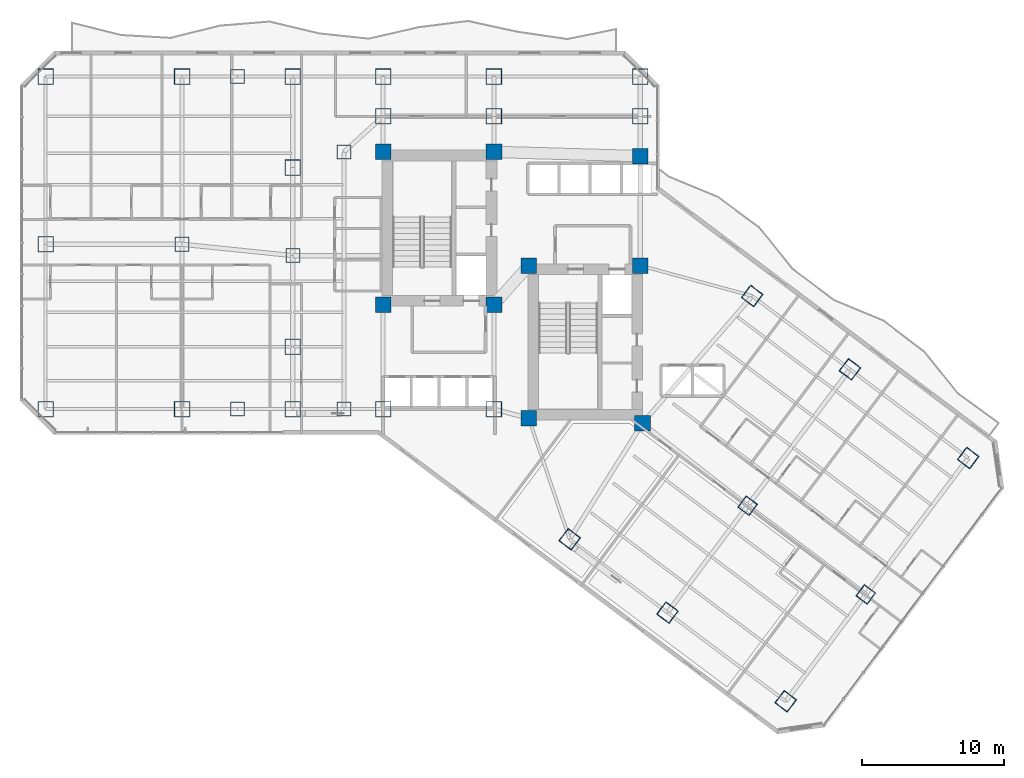
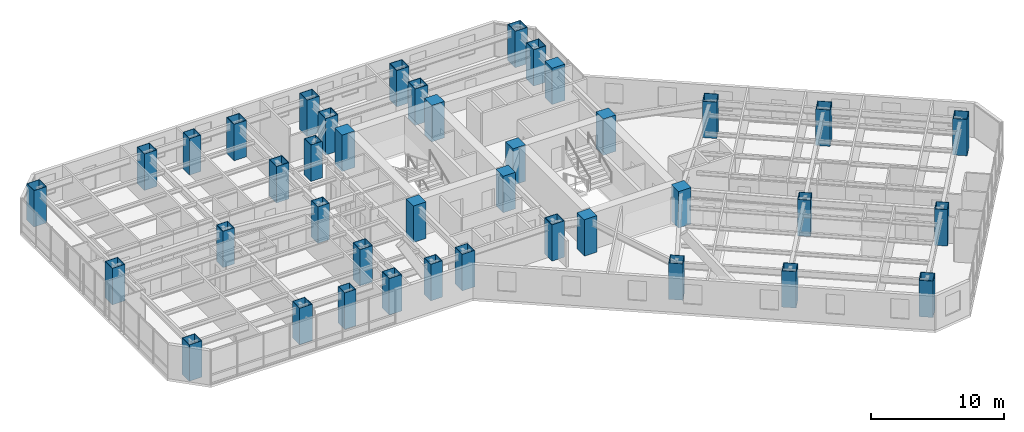
# One storey, part 1 of 32: 40 columns.
"""IFC4 building model written with IfcOpenShell, lengths in metres."""

from ifc_helpers import new_model, si_unit, direction, frame, origin, origin_2d, place, context, subcontext, project, spatial, rectangle, hollow_rectangle, extrude, material, material_profile, profile_set, type_object, element, save


model = new_model("IFC4")

# Units and contexts
model_context = context("Model", 3, precision=1e-05, world=origin(), true_north=direction((0.0, 1.0)))
body_context = subcontext(model_context, "Body", "Model", "MODEL_VIEW")
ifc_project = project(units=[si_unit("LENGTHUNIT", "METRE"), si_unit("AREAUNIT", "SQUARE_METRE"), si_unit("VOLUMEUNIT", "CUBIC_METRE"), si_unit("PLANEANGLEUNIT", "RADIAN"), si_unit("MASSUNIT", "GRAM", prefix="KILO")], contexts=[model_context])

# Site, building, storey
site_placement = place(None, origin())
site = spatial("IfcSite", under=ifc_project, at=site_placement, CompositionType="ELEMENT")
building_placement = place(site_placement, origin())
building = spatial("IfcBuilding", under=site, at=building_placement, Name="Hatsunagi Terrace Concourse", CompositionType="ELEMENT")
storey_placement = place(building_placement, frame((0.0, 0.0, 46.64990234375)))
storey = spatial("IfcBuildingStorey", under=building, at=storey_placement, Name="L11", CompositionType="ELEMENT", Elevation=46.64990234375)

# Columns
ifc_material_1 = material(Name="Concrete Fc60", Category="concrete")
ifc_material_profile_1 = material_profile(ifc_material_1, rectangle(XDim=1.10009765625, YDim=1.10009765625, at=origin_2d()), Name="RC-1100x1100")
ifc_profile_set_1 = profile_set([ifc_material_profile_1], Name="Concrete Fc60")
column_type_1 = type_object("IfcColumnType", Name="CoreColumn_RC_1100x1100", PredefinedType="COLUMN", material=ifc_profile_set_1)
for number, where, z_axis, x_axis, name in (
    (1, (25.550048828125, 32.550048828125, 0.0), (0.0, 0.0, 1.0), (1.0, 0.0, 0.0), "Column C-01 L11-CASW"),
    (2, (33.35009765625, 32.550048828125, 0.0), (0.0, 0.0, 1.0), (1.0, 0.0, 0.0), "Column C-01 L11-CASE"),
    (3, (25.550048828125, 43.300048828125, 0.0), (0.0, 0.0, 1.0), (1.0, 0.0, 0.0), "Column C-01 L11-CANW"),
    (4, (33.35009765625, 43.300048828125, 0.0), (0.0, 0.0, 1.0), (1.0, 0.0, 0.0), "Column C-01 L11-CANE"),
    (5, (35.800048828125, 24.550048828125, 0.0), (0.0, 0.0, 1.0), (1.0, 0.0, 0.0), "Column C-01 L11-CBSW"),
    (6, (43.800048828125, 24.199951171875, 0.0), (0.0, 0.0, 1.0), (1.0, 0.0, 0.0), "Column C-01 L11-CBSE"),
    (7, (35.800048828125, 35.300048828125, 0.0), (0.0, 0.0, 1.0), (1.0, 0.0, 0.0), "Column C-01 L11-CBNW"),
    (8, (43.64990234375, 35.300048828125, 0.0), (0.0, 0.0, 1.0), (1.0, 0.0, 0.0), "Column C-01 L11-CBNE"),
    (9, (43.64990234375, 43.0, 0.0), (0.0, 0.0, 1.0), (1.0, 0.0, 0.0), "Column C-01 L11-K3"),
):
    element("IfcColumn", number, at=place(storey_placement, frame(where, z_axis=z_axis, x_axis=x_axis)), inside=storey, type_object=column_type_1, Name=name, PredefinedType="COLUMN", context=body_context, shape_type="SweptSolid", body=[
        extrude(rectangle(XDim=1.10009765625, YDim=1.10009765625, at=origin_2d()), origin(), (0.0, 0.0, 1.0), 3.35009765625),
    ])
ifc_material_2 = material(Name="Steel BCP325T", Category="steel")
ifc_material_profile_2 = material_profile(ifc_material_2, hollow_rectangle(XDim=1.10009765625, YDim=1.10009765625, WallThickness=0.0400390625, at=origin_2d()), Name="BCP-1100x1100x40")
ifc_profile_set_2 = profile_set([ifc_material_profile_2], Name="Steel BCP325T")
column_type_2 = type_object("IfcColumnType", Name="MegaColumn_BCP_1100x1100x40", PredefinedType="COLUMN", material=ifc_profile_set_2)
for number, where, z_axis, x_axis, name in (
    (10, (25.550048828125, 25.199951171875, 0.0), (0.0, 0.0, 1.0), (1.0, 0.0, 0.0), "Mega column MC-02 L11-K1"),
    (11, (33.35009765625, 25.199951171875, 0.0), (0.0, 0.0, 1.0), (1.0, 0.0, 0.0), "Mega column MC-02 L11-K2"),
    (12, (25.550048828125, 45.800048828125, 0.0), (0.0, 0.0, 1.0), (1.0, 0.0, 0.0), "Mega column MC-02 L11-CN1"),
    (13, (33.35009765625, 45.800048828125, 0.0), (0.0, 0.0, 1.0), (1.0, 0.0, 0.0), "Mega column MC-02 L11-CN2"),
    (14, (43.64990234375, 45.800048828125, 0.0), (0.0, 0.0, 1.0), (1.0, 0.0, 0.0), "Mega column MC-02 L11-CN3"),
    (15, (1.800048828125, 25.199951171875, 0.0), (0.0, 0.0, 1.0), (1.0, 0.0, 0.0), "Mega column MC-02 L11-WS1"),
    (16, (1.800048828125, 48.60009765625, 0.0), (0.0, 0.0, 1.0), (1.0, 0.0, 0.0), "Mega column MC-02 L11-WN1"),
    (17, (1.800048828125, 36.800048828125, 0.0), (0.0, 0.0, 1.0), (1.0, 0.0, 0.0), "Mega column MC-02 L11-WM0"),
    (18, (11.39990234375, 25.199951171875, 0.0), (0.0, 0.0, 1.0), (1.0, 0.0, 0.0), "Mega column MC-02 L11-WS2"),
    (19, (11.39990234375, 48.60009765625, 0.0), (0.0, 0.0, 1.0), (1.0, 0.0, 0.0), "Mega column MC-02 L11-WN2"),
    (20, (19.199951171875, 48.60009765625, 0.0), (0.0, 0.0, 1.0), (1.0, 0.0, 0.0), "Mega column MC-02 L11-WN3"),
    (21, (25.550048828125, 48.60009765625, 0.0), (0.0, 0.0, 1.0), (1.0, 0.0, 0.0), "Mega column MC-02 L11-WN4"),
    (22, (33.35009765625, 48.60009765625, 0.0), (0.0, 0.0, 1.0), (1.0, 0.0, 0.0), "Mega column MC-02 L11-WN5"),
    (23, (43.64990234375, 48.60009765625, 0.0), (0.0, 0.0, 1.0), (1.0, 0.0, 0.0), "Mega column MC-02 L11-WN6"),
    (24, (19.199951171875, 25.199951171875, 0.0), (0.0, 0.0, 1.0), (1.0, 0.0, 0.0), "Mega column MC-02 L11-WS3"),
    (25, (19.199951171875, 29.60009765625, 0.0), (0.0, 0.0, 1.0), (1.0, 0.0, 0.0), "Mega column MC-02 L11-WR1"),
    (26, (19.199951171875, 42.199951171875, 0.0), (0.0, 0.0, 1.0), (1.0, 0.0, 0.0), "Mega column MC-02 L11-WR2"),
    (27, (38.679931640625, 16.0400390625, 0.0), (0.0, 0.0, 1.0), (0.799999996291, -0.600000004945, 0.0), "Mega column MC-02 L11-SES1"),
    (28, (51.52001953125, 33.159912109375, 0.0), (0.0, 0.0, 1.0), (0.799999996291, -0.600000004945, 0.0), "Mega column MC-02 L11-SEN1"),
    (29, (45.56005859375, 10.8798828125, 0.0), (0.0, 0.0, 1.0), (0.799999996291, -0.600000004945, 0.0), "Mega column MC-02 L11-SES2"),
    (30, (58.39990234375, 28.0, 0.0), (0.0, 0.0, 1.0), (0.799999996291, -0.600000004945, 0.0), "Mega column MC-02 L11-SEN2"),
    (31, (53.8798828125, 4.639892578125, 0.0), (0.0, 0.0, 1.0), (0.799999996291, -0.600000004945, 0.0), "Mega column MC-02 L11-SES3"),
    (32, (66.719970703125, 21.760009765625, 0.0), (0.0, 0.0, 1.0), (0.799999996291, -0.600000004945, 0.0), "Mega column MC-02 L11-SEN3"),
):
    element("IfcColumn", number, at=place(storey_placement, frame(where, z_axis=z_axis, x_axis=x_axis)), inside=storey, type_object=column_type_2, Name=name, PredefinedType="COLUMN", context=body_context, shape_type="SweptSolid", body=[
        extrude(hollow_rectangle(XDim=1.10009765625, YDim=1.10009765625, WallThickness=0.0400390625, at=origin_2d()), origin(), (0.0, 0.0, 1.0), 3.35009765625),
    ])
ifc_material_3 = material(Name="Steel BCP325T", Category="steel")
ifc_material_profile_3 = material_profile(ifc_material_3, hollow_rectangle(XDim=1.0, YDim=1.0, WallThickness=0.0380859375, at=origin_2d()), Name="BCP-1000x1000x38")
ifc_profile_set_3 = profile_set([ifc_material_profile_3], Name="Steel BCP325T")
column_type_3 = type_object("IfcColumnType", Name="TowerBoxColumn_1000x1000x38", PredefinedType="COLUMN", material=ifc_profile_set_3)
for number, where, z_axis, x_axis, name in (
    (33, (22.800048828125, 25.199951171875, 0.0), (0.0, 0.0, 1.0), (1.0, 0.0, 0.0), "Column C-03 L11-CW1"),
    (34, (22.800048828125, 43.300048828125, 0.0), (0.0, 0.0, 1.0), (1.0, 0.0, 0.0), "Column C-03 L11-CW2"),
    (35, (11.39990234375, 36.800048828125, 0.0), (0.0, 0.0, 1.0), (1.0, 0.0, 0.0), "Column C-03 L11-WT1"),
    (36, (19.199951171875, 36.0, 0.0), (0.0, 0.0, 1.0), (1.0, 0.0, 0.0), "Column C-03 L11-WT2"),
    (37, (15.300048828125, 25.199951171875, 0.0), (0.0, 0.0, 1.0), (1.0, 0.0, 0.0), "Column C-03 L11-WT3"),
    (38, (15.300048828125, 48.60009765625, 0.0), (0.0, 0.0, 1.0), (1.0, 0.0, 0.0), "Column C-03 L11-WT4"),
    (39, (51.199951171875, 18.39990234375, 0.0), (0.0, 0.0, 1.0), (0.799999996291, -0.600000004945, 0.0), "Column C-03 L11-SEM2"),
    (40, (59.52001953125, 12.159912109375, 0.0), (0.0, 0.0, 1.0), (0.799999996291, -0.600000004945, 0.0), "Column C-03 L11-SEM3"),
):
    element("IfcColumn", number, at=place(storey_placement, frame(where, z_axis=z_axis, x_axis=x_axis)), inside=storey, type_object=column_type_3, Name=name, PredefinedType="COLUMN", context=body_context, shape_type="SweptSolid", body=[
        extrude(hollow_rectangle(XDim=1.0, YDim=1.0, WallThickness=0.0380859375, at=origin_2d()), origin(), (0.0, 0.0, 1.0), 3.35009765625),
    ])

save(model, "model.ifc")
